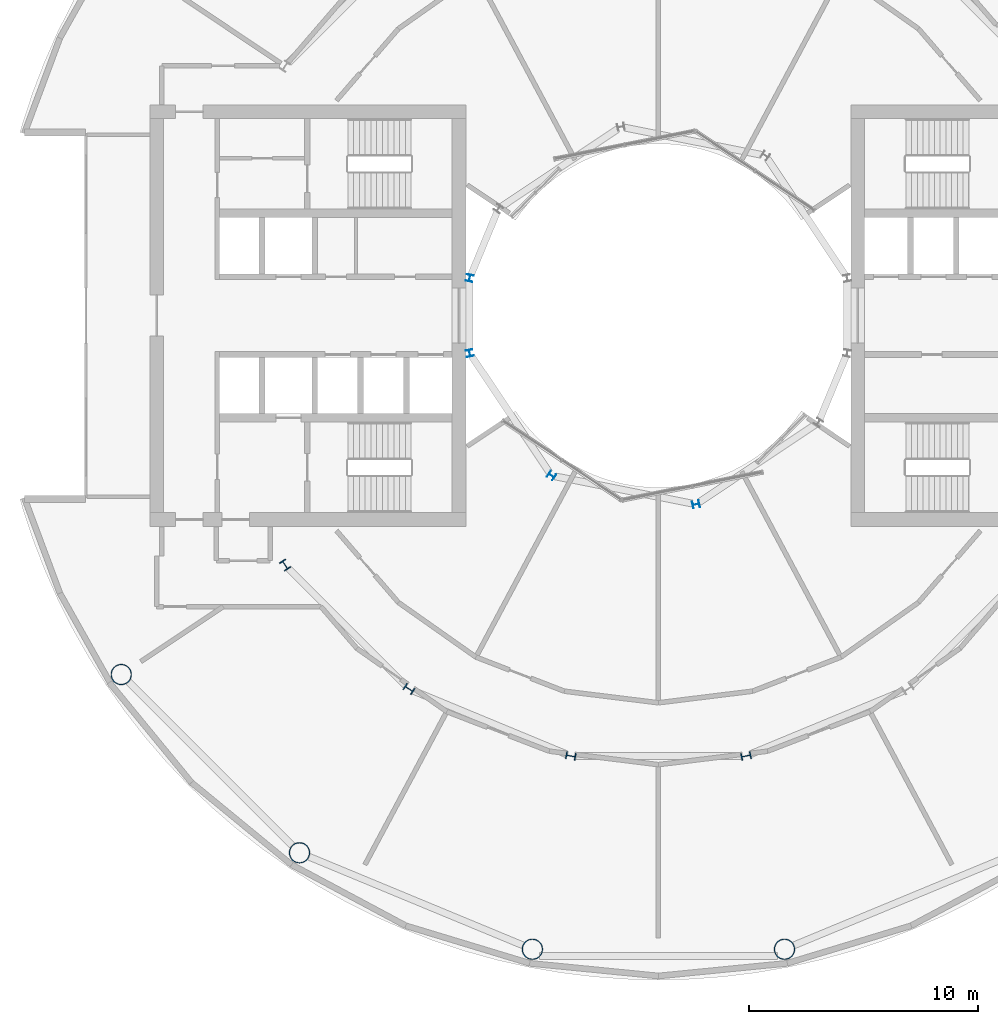
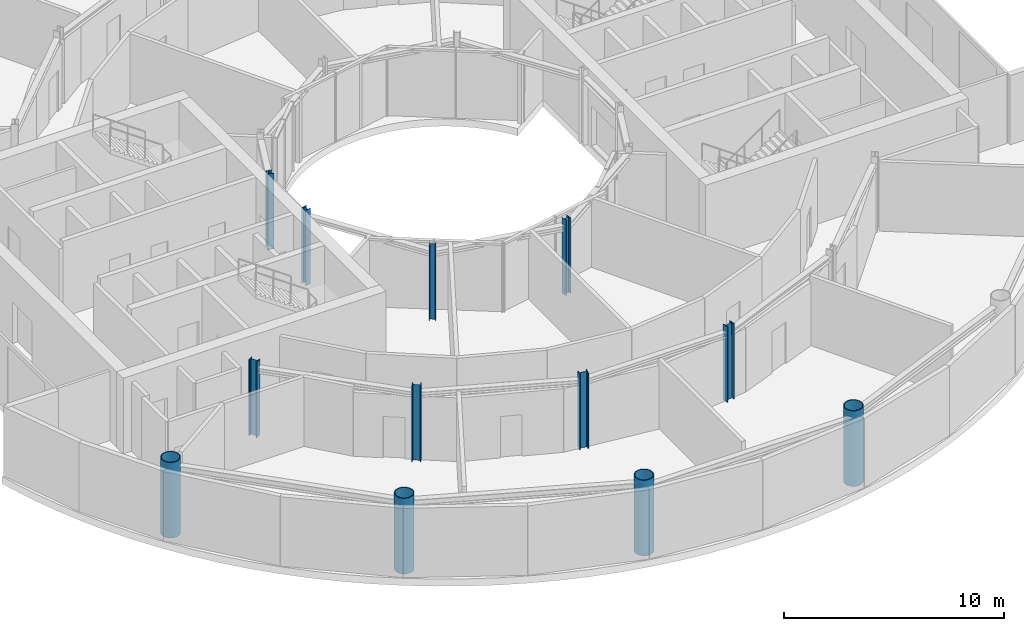
# One storey, part 1 of 18: 12 columns.
"""IFC4 building model written with IfcOpenShell, lengths in metres."""

from ifc_helpers import new_model, si_unit, direction, frame, origin, origin_2d, place, context, subcontext, project, spatial, hollow_circle, i_section, extrude, material, material_profile, profile_set, type_object, element, save


model = new_model("IFC4")

# Units and contexts
model_context = context("Model", 3, precision=1e-05, world=origin(), true_north=direction((0.0, 1.0)))
body_context = subcontext(model_context, "Body", "Model", "MODEL_VIEW")
ifc_project = project(units=[si_unit("LENGTHUNIT", "METRE"), si_unit("AREAUNIT", "SQUARE_METRE"), si_unit("VOLUMEUNIT", "CUBIC_METRE"), si_unit("PLANEANGLEUNIT", "RADIAN"), si_unit("MASSUNIT", "GRAM", prefix="KILO")], contexts=[model_context])

# Site, building, storey
site_placement = place(None, origin())
site = spatial("IfcSite", under=ifc_project, at=site_placement, CompositionType="ELEMENT")
building_placement = place(site_placement, origin())
building = spatial("IfcBuilding", under=site, at=building_placement, Name="Maasbend Ring Residences", CompositionType="ELEMENT")
storey_placement = place(building_placement, frame((0.0, 0.0, 103.25)))
storey = spatial("IfcBuildingStorey", under=building, at=storey_placement, Name="L29", CompositionType="ELEMENT", Elevation=103.25)

# Columns
ifc_material_1 = material(Name="Composite concrete-filled steel tube S460NH / C80/95", Category="concrete")
ifc_material_profile_1 = material_profile(ifc_material_1, hollow_circle(Radius=0.45703125, WallThickness=0.0400390625, at=origin_2d()), Name="Composite tube column CHS 914x40")
ifc_profile_set_1 = profile_set([ifc_material_profile_1], Name="Composite concrete-filled steel tube S460NH / C80/95")
column_type_1 = type_object("IfcColumnType", Name="Composite tube column CHS 914x40", PredefinedType="COLUMN", material=ifc_profile_set_1)
for number, where, z_axis, x_axis, name in (
    (1, (-23.447509765625, -15.6669921875, 0.0), (0.0, 0.0, 1.0), (1.0, 0.0, 0.0), "Outer column R10"),
    (2, (-15.6669921875, -23.447509765625, 0.0), (0.0, 0.0, 1.0), (1.0, 0.0, 0.0), "Outer column R11"),
    (3, (-5.50146484375, -27.658203125, 0.0), (0.0, 0.0, 1.0), (1.0, 0.0, 0.0), "Outer column R12"),
    (4, (5.50146484375, -27.658203125, 0.0), (0.0, 0.0, 1.0), (1.0, 0.0, 0.0), "Outer column R13"),
):
    element("IfcColumn", number, at=place(storey_placement, frame(where, z_axis=z_axis, x_axis=x_axis)), inside=storey, type_object=column_type_1, Name=name, PredefinedType="COLUMN", context=body_context, shape_type="SweptSolid", body=[
        extrude(hollow_circle(Radius=0.45703125, WallThickness=0.0400390625, at=origin_2d()), origin(), (0.0, 0.0, 1.0), 4.199951171875),
    ])
ifc_material_2 = material(Name="Steel S355J2", Category="steel")
ifc_material_profile_2 = material_profile(ifc_material_2, i_section(OverallWidth=0.300048828125, OverallDepth=0.300048828125, WebThickness=0.010986328125, FlangeThickness=0.01904296875, FilletRadius=0.027099609375, at=origin_2d()), Name="HEB 300")
ifc_profile_set_2 = profile_set([ifc_material_profile_2], Name="Steel S355J2")
column_type_2 = type_object("IfcColumnType", Name="Steel column HEB 300", PredefinedType="COLUMN", material=ifc_profile_set_2)
for number, where, z_axis, x_axis, name in (
    (5, (-8.238525390625, 1.638916015625, 0.0), (0.0, 0.0, 1.0), (-0.980785280403, 0.195090322016, 0.0), "Well ring column R8"),
    (6, (-8.238525390625, -1.638916015625, 0.0), (0.0, 0.0, 1.0), (-0.980785280403, -0.195090322016, 0.0), "Well ring column R9"),
    (7, (-4.666748046875, -6.984375, 0.0), (0.0, 0.0, 1.0), (-0.55557023302, -0.831469612303, 0.0), "Well ring column R11"),
    (8, (1.638916015625, -8.238525390625, 0.0), (0.0, 0.0, 1.0), (0.195090322016, -0.980785280403, 0.0), "Well ring column R13"),
):
    element("IfcColumn", number, at=place(storey_placement, frame(where, z_axis=z_axis, x_axis=x_axis)), inside=storey, type_object=column_type_2, Name=name, PredefinedType="COLUMN", context=body_context, shape_type="SweptSolid", body=[
        extrude(i_section(OverallWidth=0.300048828125, OverallDepth=0.300048828125, WebThickness=0.010986328125, FlangeThickness=0.01904296875, FilletRadius=0.027099609375, at=origin_2d()), origin(), (0.0, 0.0, 1.0), 4.199951171875),
    ])
ifc_material_3 = material(Name="Steel S460M", Category="steel")
ifc_material_profile_3 = material_profile(ifc_material_3, i_section(OverallWidth=0.306884765625, OverallDepth=0.431884765625, WebThickness=0.02099609375, FlangeThickness=0.0400390625, FilletRadius=0.027099609375, at=origin_2d()), Name="HEM 400")
ifc_profile_set_3 = profile_set([ifc_material_profile_3], Name="Steel S460M")
column_type_3 = type_object("IfcColumnType", Name="Steel column HEM 400", PredefinedType="COLUMN", material=ifc_profile_set_3)
for number, where, z_axis, x_axis, name in (
    (9, (-16.296875, -10.88916015625, 0.0), (0.0, 0.0, 1.0), (-0.831469612303, -0.55557023302, 0.0), "Corridor ring column R10"),
    (10, (-10.88916015625, -16.296875, 0.0), (0.0, 0.0, 1.0), (-0.55557023302, -0.831469612303, 0.0), "Corridor ring column R11"),
    (11, (-3.82373046875, -19.223388671875, 0.0), (0.0, 0.0, 1.0), (-0.195090322016, -0.980785280403, 0.0), "Corridor ring column R12"),
    (12, (3.82373046875, -19.223388671875, 0.0), (0.0, 0.0, 1.0), (0.195090322016, -0.980785280403, 0.0), "Corridor ring column R13"),
):
    element("IfcColumn", number, at=place(storey_placement, frame(where, z_axis=z_axis, x_axis=x_axis)), inside=storey, type_object=column_type_3, Name=name, PredefinedType="COLUMN", context=body_context, shape_type="SweptSolid", body=[
        extrude(i_section(OverallWidth=0.306884765625, OverallDepth=0.431884765625, WebThickness=0.02099609375, FlangeThickness=0.0400390625, FilletRadius=0.027099609375, at=origin_2d()), origin(), (0.0, 0.0, 1.0), 4.199951171875),
    ])

save(model, "model.ifc")
